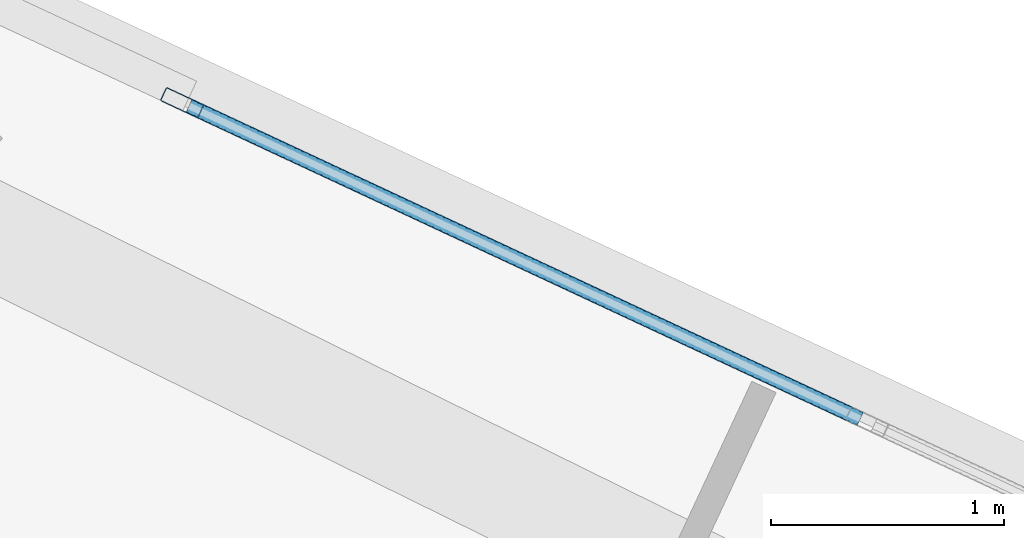
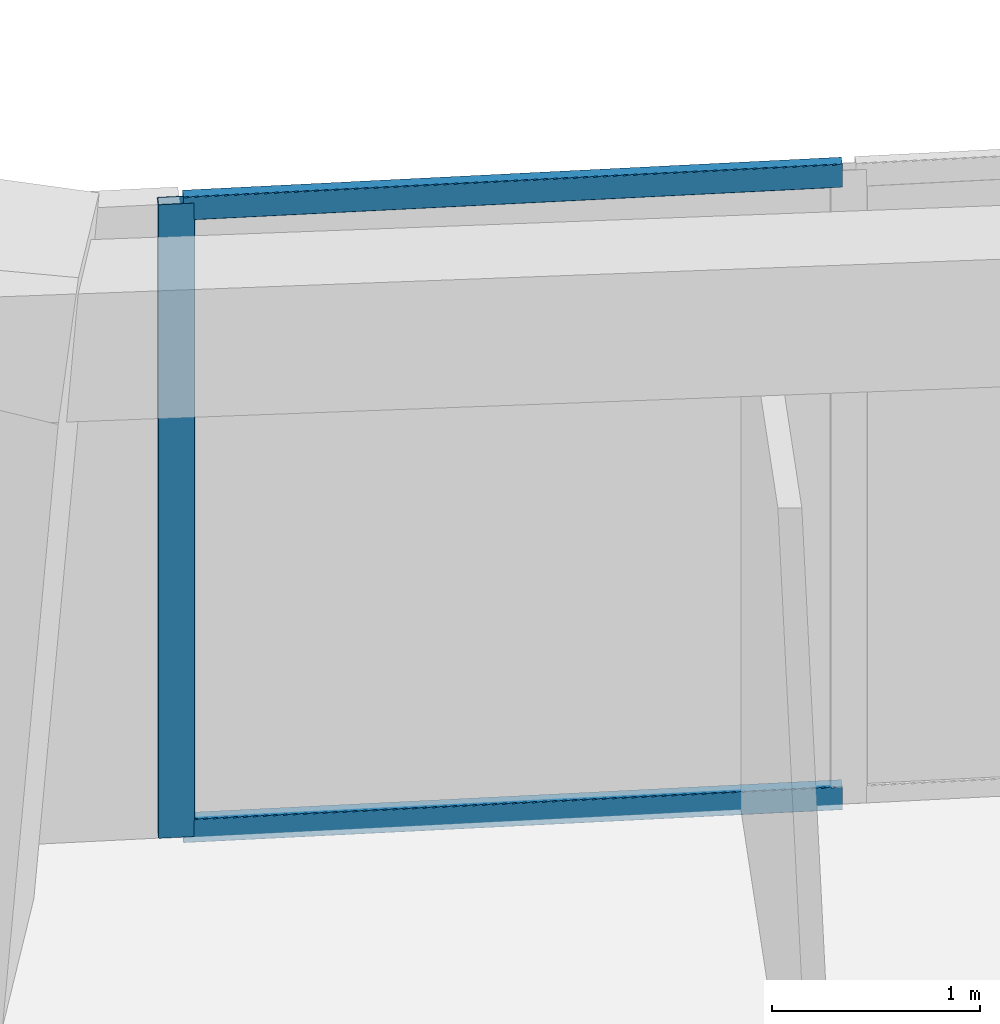
# One storey, part 13 of 23: 3 members, 1 element without a shape of its own.
"""IFC4 building model written with IfcOpenShell, lengths in metres."""

from ifc_helpers import new_model, si_unit, direction, frame, origin, origin_2d, place, context, subcontext, project, spatial, hollow_rectangle, extrude, source, transform, mapped, material, material_profile, profile_set, type_object, element, aggregate, save


model = new_model("IFC4")

# Units and contexts
model_context = context("Model", 3, precision=1e-05, world=origin(), true_north=direction((0.0, 1.0)))
body_context = subcontext(model_context, "Body", "Model", "MODEL_VIEW")
ifc_project = project(units=[si_unit("LENGTHUNIT", "METRE"), si_unit("AREAUNIT", "SQUARE_METRE"), si_unit("VOLUMEUNIT", "CUBIC_METRE"), si_unit("PLANEANGLEUNIT", "RADIAN"), si_unit("MASSUNIT", "GRAM", prefix="KILO")], contexts=[model_context])

# Site, building, storey
site_placement = place(None, origin())
site = spatial("IfcSite", under=ifc_project, at=site_placement, CompositionType="ELEMENT")
building_placement = place(site_placement, origin())
building = spatial("IfcBuilding", under=site, at=building_placement, Name="Torre Montelarca", CompositionType="ELEMENT")
storey_placement = place(building_placement, frame((0.0, 0.0, 158.199951171875)))
storey = spatial("IfcBuildingStorey", under=building, at=storey_placement, Name="L35", CompositionType="ELEMENT", Elevation=158.199951171875)

# Curtain wall, members
ifc_material_1 = material(Name="Insulated low-E laminated glass", Category="glass")
curtain_wall_type = type_object("IfcCurtainWallType", Name="CW-SYS-Z2", PredefinedType="USERDEFINED", material=ifc_material_1)
curtain_wall_placement = place(storey_placement, origin())
curtain_wall = element("IfcCurtainWall", 1, at=curtain_wall_placement, inside=storey, type_object=curtain_wall_type, Name="L35 Curtain Wall Run CW-T3-L35-E08-B3", ObjectType="UNITISED GLAZING", PredefinedType="USERDEFINED")
ifc_material_2 = material(Name="Anodised aluminium AA 6063-T6", Category="aluminium")
ifc_material_profile_1 = material_profile(ifc_material_2, hollow_rectangle(XDim=0.06494140625, YDim=0.179931640625, WallThickness=0.00390625, InnerFilletRadius=0.00390625, OuterFilletRadius=0.008056640625, at=origin_2d()), Name="ALU65X180X4", Category="aluminium")
ifc_profile_set_1 = profile_set([ifc_material_profile_1], Name="Anodised aluminium AA 6063-T6")
member_type_1 = type_object("IfcMemberType", Name="CWM-ALU180", PredefinedType="MULLION", material=ifc_profile_set_1)
shared_shape_1 = source(origin(), body_context, "Body", "SweptSolid", [
    extrude(hollow_rectangle(XDim=0.06494140625, YDim=0.179931640625, WallThickness=0.00390625, InnerFilletRadius=0.00390625, OuterFilletRadius=0.008056640625, at=origin_2d()), origin(), (0.0, 0.0, 1.0), 3.719970703125),
])
member_1_placement = place(storey_placement, frame((26.4052734375, 47.44384765625, 0.0), z_axis=(0.0, 0.0, 1.0), x_axis=(-0.422615007869, -0.906309304335, 0.0)))
member_1 = element("IfcMember", 2, at=member_1_placement, type_object=member_type_1, Name="CW mullion 3", PredefinedType="MULLION", context=body_context, shape_type="MappedRepresentation", body=[
    mapped(shared_shape_1, transform((0.0, 0.0, 0.0), scale=1.0)),
])
ifc_material_profile_2 = material_profile(ifc_material_2, hollow_rectangle(XDim=0.06494140625, YDim=0.139892578125, WallThickness=0.00390625, InnerFilletRadius=0.00390625, OuterFilletRadius=0.008056640625, at=origin_2d()), Name="ALU65X140X4", Category="aluminium")
ifc_profile_set_2 = profile_set([ifc_material_profile_2], Name="Anodised aluminium AA 6063-T6")
member_type_2 = type_object("IfcMemberType", Name="CWT-ALU140", PredefinedType="USERDEFINED", material=ifc_profile_set_2)
shared_shape_2 = source(origin(), body_context, "Body", "SweptSolid", [
    extrude(hollow_rectangle(XDim=0.06494140625, YDim=0.139892578125, WallThickness=0.00390625, InnerFilletRadius=0.00390625, OuterFilletRadius=0.008056640625, at=origin_2d()), origin(), (0.0, 0.0, 1.0), 3.181640625),
])
member_2_placement = place(storey_placement, frame((29.318359375, 46.08544921875, 0.032470703125), z_axis=(-0.906294847463, 0.422646009637, 0.0), x_axis=(-0.422646009637, -0.906294847463, 0.0)))
member_2 = element("IfcMember", 3, at=member_2_placement, type_object=member_type_2, Name="CW transom 2.1", ObjectType="TRANSOM", PredefinedType="USERDEFINED", context=body_context, shape_type="MappedRepresentation", body=[
    mapped(shared_shape_2, transform((0.0, 0.0, 0.0), scale=1.0)),
])
member_3_placement = place(storey_placement, frame((29.318359375, 46.08544921875, 3.6875), z_axis=(-0.906294847463, 0.422646009637, 0.0), x_axis=(-0.422646009637, -0.906294847463, 0.0)))
member_3 = element("IfcMember", 4, at=member_3_placement, type_object=member_type_2, Name="CW transom 2.2", ObjectType="TRANSOM", PredefinedType="USERDEFINED", context=body_context, shape_type="MappedRepresentation", body=[
    mapped(shared_shape_2, transform((0.0, 0.0, 0.0), scale=1.0)),
])
aggregate(curtain_wall, [member_1, member_2, member_3])

save(model, "model.ifc")
